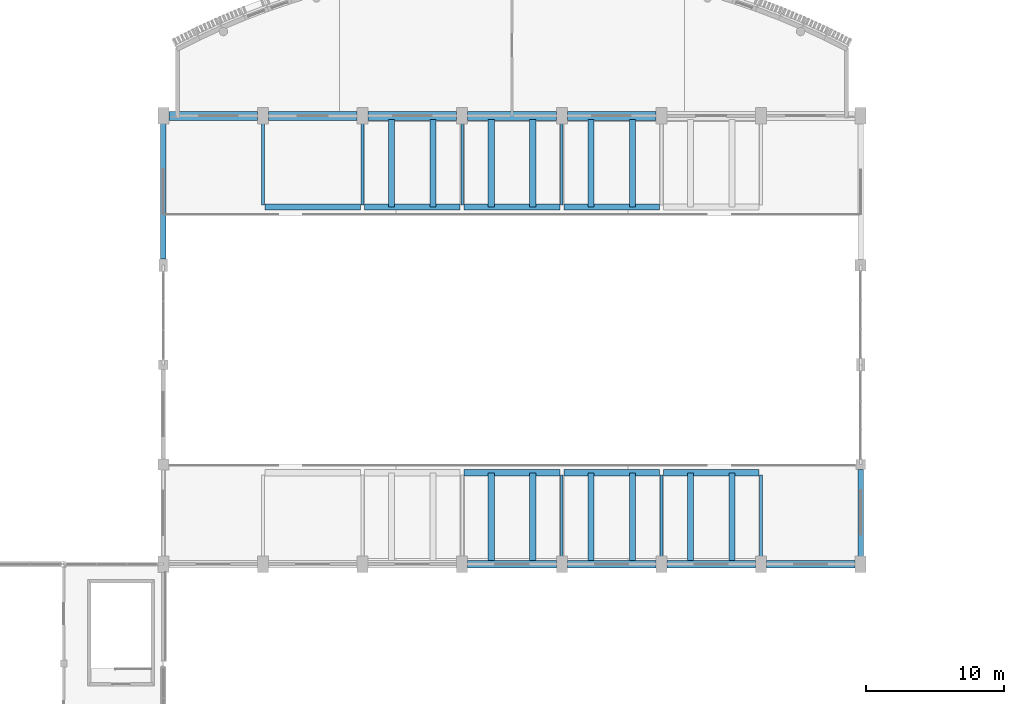
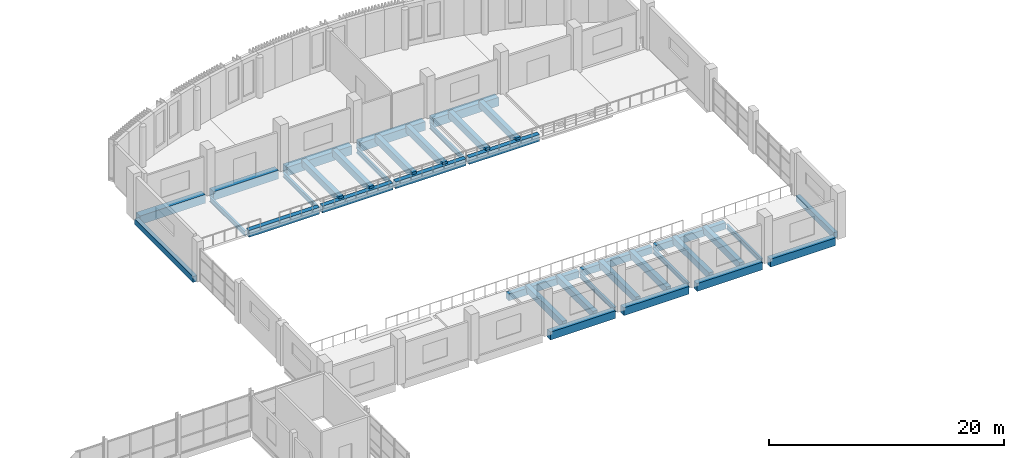
# One storey, part 27 of 71: 37 beams.
"""IFC4 building model written with IfcOpenShell, lengths in metres."""

from ifc_helpers import new_model, si_unit, direction, frame, origin, origin_2d, place, context, subcontext, project, spatial, rectangle, i_section, extrude, material, material_profile, profile_set, type_object, element, save


model = new_model("IFC4")

# Units and contexts
model_context = context("Model", 3, precision=1e-05, world=origin(), true_north=direction((0.0, 1.0)))
body_context = subcontext(model_context, "Body", "Model", "MODEL_VIEW")
ifc_project = project(units=[si_unit("LENGTHUNIT", "METRE"), si_unit("AREAUNIT", "SQUARE_METRE"), si_unit("VOLUMEUNIT", "CUBIC_METRE"), si_unit("PLANEANGLEUNIT", "RADIAN"), si_unit("MASSUNIT", "GRAM", prefix="KILO")], contexts=[model_context])

# Site, building, storey
site_placement = place(None, origin())
site = spatial("IfcSite", under=ifc_project, at=site_placement, CompositionType="ELEMENT")
building_placement = place(site_placement, origin())
building = spatial("IfcBuilding", under=site, at=building_placement, Name="Sardonyx Promenade Sports Hall", CompositionType="ELEMENT")
storey_placement = place(building_placement, frame((0.0, 0.0, 16.0)))
storey = spatial("IfcBuildingStorey", under=building, at=storey_placement, Name="L03", CompositionType="ELEMENT", Elevation=16.0)

# Beams
ifc_material_1 = material(Name="Concrete C40/50", Category="concrete")
ifc_material_profile_1 = material_profile(ifc_material_1, rectangle(XDim=0.550048828125, YDim=0.800048828125, at=origin_2d()))
ifc_profile_set_1 = profile_set([ifc_material_profile_1], Name="Concrete C40/50")
beam_type_1 = type_object("IfcBeamType", Name="Bm_Girder_RC800", PredefinedType="BEAM", material=ifc_profile_set_1)
for number, where, z_axis, x_axis, name in (
    (1, (50.800048828125, 72.0, -0.39990234375), (1.0, 0.0, 0.0), (0.0, 1.0, 0.0), "Beam BG04 L03 #794"),
    (2, (58.0, 72.0, -0.39990234375), (1.0, 0.0, 0.0), (0.0, 1.0, 0.0), "Beam BG04 L03 #795"),
):
    element("IfcBeam", number, at=place(storey_placement, frame(where, z_axis=z_axis, x_axis=x_axis)), inside=storey, type_object=beam_type_1, Name=name, PredefinedType="BEAM", context=body_context, shape_type="SweptSolid", body=[
        extrude(rectangle(XDim=0.550048828125, YDim=0.800048828125, at=origin_2d()), origin(), (0.0, 0.0, 1.0), 6.39990234375),
    ])
for number, where, z_axis, x_axis, name in (
    (3, (65.199951171875, 72.0, -0.39990234375), (1.0, 0.0, 0.0), (0.0, 1.0, 0.0), "Beam BG04 L03 #796"),
    (4, (72.39990234375, 72.0, -0.39990234375), (1.0, 0.0, 0.0), (0.0, 1.0, 0.0), "Beam BG04 L03 #797"),
):
    element("IfcBeam", number, at=place(storey_placement, frame(where, z_axis=z_axis, x_axis=x_axis)), inside=storey, type_object=beam_type_1, Name=name, PredefinedType="BEAM", context=body_context, shape_type="SweptSolid", body=[
        extrude(rectangle(XDim=0.550048828125, YDim=0.800048828125, at=origin_2d()), origin(), (0.0, 0.0, 1.0), 6.400146484375),
    ])
ifc_material_2 = material(Name="Concrete C50/60", Category="concrete")
ifc_material_profile_2 = material_profile(ifc_material_2, rectangle(XDim=0.64990234375, YDim=0.89990234375, at=origin_2d()))
ifc_profile_set_2 = profile_set([ifc_material_profile_2], Name="Concrete C50/60")
beam_type_2 = type_object("IfcBeamType", Name="Bm_Girder_RC900", PredefinedType="BEAM", material=ifc_profile_set_2)
for number, where, z_axis, x_axis, name in (
    (5, (29.195068359375, 104.39990234375, -0.449951171875), (1.0, 0.0, 0.0), (0.0, 1.0, 0.0), "North stand pier girder L03 #47"),
    (6, (36.39501953125, 104.39990234375, -0.449951171875), (1.0, 0.0, 0.0), (0.0, 1.0, 0.0), "North stand pier girder L03 #48"),
    (7, (43.594970703125, 104.39990234375, -0.449951171875), (1.0, 0.0, 0.0), (0.0, 1.0, 0.0), "North stand pier girder L03 #49"),
):
    element("IfcBeam", number, at=place(storey_placement, frame(where, z_axis=z_axis, x_axis=x_axis)), inside=storey, type_object=beam_type_2, Name=name, PredefinedType="BEAM", context=body_context, shape_type="SweptSolid", body=[
        extrude(rectangle(XDim=0.64990234375, YDim=0.89990234375, at=origin_2d()), origin(), (0.0, 0.0, 1.0), 6.409912109375),
    ])
beam_1_placement = place(storey_placement, frame((50.794921875, 104.39990234375, -0.449951171875), z_axis=(1.0, 0.0, 0.0), x_axis=(0.0, 1.0, 0.0)))
element("IfcBeam", 8, at=beam_1_placement, inside=storey, type_object=beam_type_2, Name="North stand pier girder L03 #50", PredefinedType="BEAM", context=body_context, shape_type="SweptSolid", body=[
    extrude(rectangle(XDim=0.64990234375, YDim=0.89990234375, at=origin_2d()), origin(), (0.0, 0.0, 1.0), 6.41015625),
])
beam_2_placement = place(storey_placement, frame((57.9951171875, 104.39990234375, -0.449951171875), z_axis=(1.0, 0.0, 0.0), x_axis=(0.0, 1.0, 0.0)))
element("IfcBeam", 9, at=beam_2_placement, inside=storey, type_object=beam_type_2, Name="North stand pier girder L03 #51", PredefinedType="BEAM", context=body_context, shape_type="SweptSolid", body=[
    extrude(rectangle(XDim=0.64990234375, YDim=0.89990234375, at=origin_2d()), origin(), (0.0, 0.0, 1.0), 6.409912109375),
])
ifc_material_3 = material(Name="Steel S355JR", Category="steel")
ifc_material_profile_3 = material_profile(ifc_material_3, i_section(OverallWidth=0.199951171875, OverallDepth=0.5, WebThickness=0.01025390625, FlangeThickness=0.01611328125, at=origin_2d()))
ifc_profile_set_3 = profile_set([ifc_material_profile_3], Name="Steel S355JR")
beam_type_3 = type_object("IfcBeamType", Name="Bm_Primary_IPE500", PredefinedType="BEAM", material=ifc_profile_set_3)
for number, where, z_axis, x_axis, name in (
    (10, (36.0, 97.949951171875, -0.469970703125), (0.0, 1.0, 0.0), (-1.0, 0.0, 0.0), "Beam SB06 L03 #832"),
    (11, (43.199951171875, 97.949951171875, -0.469970703125), (0.0, 1.0, 0.0), (-1.0, 0.0, 0.0), "Beam SB06 L03 #838"),
    (12, (50.39990234375, 97.949951171875, -0.469970703125), (0.0, 1.0, 0.0), (-1.0, 0.0, 0.0), "Beam SB06 L03 #840"),
    (13, (57.60009765625, 72.449951171875, -0.469970703125), (0.0, 1.0, 0.0), (-1.0, 0.0, 0.0), "Beam SB06 L03 #845"),
    (14, (57.60009765625, 97.949951171875, -0.469970703125), (0.0, 1.0, 0.0), (-1.0, 0.0, 0.0), "Beam SB06 L03 #846"),
    (15, (64.800048828125, 72.449951171875, -0.469970703125), (0.0, 1.0, 0.0), (-1.0, 0.0, 0.0), "Beam SB06 L03 #847"),
    (16, (72.0, 72.449951171875, -0.469970703125), (0.0, 1.0, 0.0), (-1.0, 0.0, 0.0), "Beam SB06 L03 #853"),
):
    element("IfcBeam", number, at=place(storey_placement, frame(where, z_axis=z_axis, x_axis=x_axis)), inside=storey, type_object=beam_type_3, Name=name, PredefinedType="BEAM", context=body_context, shape_type="SweptSolid", body=[
        extrude(i_section(OverallWidth=0.199951171875, OverallDepth=0.5, WebThickness=0.01025390625, FlangeThickness=0.01611328125, at=origin_2d()), origin(), (0.0, 0.0, 1.0), 6.0),
    ])
ifc_material_4 = material(Name="Concrete C40/50", Category="concrete")
ifc_material_profile_4 = material_profile(ifc_material_4, rectangle(XDim=0.449951171875, YDim=0.699951171875, at=origin_2d()))
ifc_profile_set_4 = profile_set([ifc_material_profile_4], Name="Concrete C40/50")
beam_type_4 = type_object("IfcBeamType", Name="Bm_Primary_RC700", PredefinedType="BEAM", material=ifc_profile_set_4)
for number, where, z_axis, x_axis, name in (
    (17, (36.14794921875, 97.800048828125, -0.35009765625), (1.0, 0.0, 0.0), (0.0, 1.0, 0.0), "Concourse longitudinal beam #31"),
    (18, (43.347900390625, 97.800048828125, -0.35009765625), (1.0, 0.0, 0.0), (0.0, 1.0, 0.0), "Concourse longitudinal beam #33"),
):
    element("IfcBeam", number, at=place(storey_placement, frame(where, z_axis=z_axis, x_axis=x_axis)), inside=storey, type_object=beam_type_4, Name=name, PredefinedType="BEAM", context=body_context, shape_type="SweptSolid", body=[
        extrude(rectangle(XDim=0.449951171875, YDim=0.699951171875, at=origin_2d()), origin(), (0.0, 0.0, 1.0), 6.904052734375),
    ])
for number, where, z_axis, x_axis, name in (
    (19, (50.548095703125, 78.60009765625, -0.35009765625), (1.0, 0.0, 0.0), (0.0, 1.0, 0.0), "Concourse longitudinal beam #34"),
    (20, (50.548095703125, 97.800048828125, -0.35009765625), (1.0, 0.0, 0.0), (0.0, 1.0, 0.0), "Concourse longitudinal beam #35"),
):
    element("IfcBeam", number, at=place(storey_placement, frame(where, z_axis=z_axis, x_axis=x_axis)), inside=storey, type_object=beam_type_4, Name=name, PredefinedType="BEAM", context=body_context, shape_type="SweptSolid", body=[
        extrude(rectangle(XDim=0.449951171875, YDim=0.699951171875, at=origin_2d()), origin(), (0.0, 0.0, 1.0), 6.90380859375),
    ])
for number, where, z_axis, x_axis, name in (
    (21, (57.748046875, 78.60009765625, -0.35009765625), (1.0, 0.0, 0.0), (0.0, 1.0, 0.0), "Concourse longitudinal beam #36"),
    (22, (57.748046875, 97.800048828125, -0.35009765625), (1.0, 0.0, 0.0), (0.0, 1.0, 0.0), "Concourse longitudinal beam #37"),
    (23, (64.947998046875, 78.60009765625, -0.35009765625), (1.0, 0.0, 0.0), (0.0, 1.0, 0.0), "Concourse longitudinal beam #38"),
):
    element("IfcBeam", number, at=place(storey_placement, frame(where, z_axis=z_axis, x_axis=x_axis)), inside=storey, type_object=beam_type_4, Name=name, PredefinedType="BEAM", context=body_context, shape_type="SweptSolid", body=[
        extrude(rectangle(XDim=0.449951171875, YDim=0.699951171875, at=origin_2d()), origin(), (0.0, 0.0, 1.0), 6.904052734375),
    ])
ifc_material_5 = material(Name="Concrete C40/50", Category="concrete")
ifc_material_profile_5 = material_profile(ifc_material_5, rectangle(XDim=0.449951171875, YDim=0.699951171875, at=origin_2d()))
ifc_profile_set_5 = profile_set([ifc_material_profile_5], Name="Concrete C40/50")
beam_type_5 = type_object("IfcBeamType", Name="Bm_Raker_Stand", PredefinedType="BEAM", material=ifc_profile_set_5)
for number, where, z_axis, x_axis, name in (
    (24, (45.300048828125, 97.800048828125, -0.10009765625), (0.0, 0.999995030106, 0.003152739147), (-1.0, 0.0, 0.0), "Stand raker beam upper N #1-1"),
    (25, (48.300048828125, 97.800048828125, -0.10009765625), (0.0, 0.999995030106, 0.003152739147), (-1.0, 0.0, 0.0), "Stand raker beam upper N #1-2"),
):
    element("IfcBeam", number, at=place(storey_placement, frame(where, z_axis=z_axis, x_axis=x_axis)), inside=storey, type_object=beam_type_5, Name=name, PredefinedType="BEAM", context=body_context, shape_type="SweptSolid", body=[
        extrude(rectangle(XDim=0.449951171875, YDim=0.699951171875, at=origin_2d()), origin(), (0.0, 0.0, 1.0), 6.349853515625),
    ])
for number, where, z_axis, x_axis, name in (
    (26, (52.5, 78.60009765625, -0.10009765625), (0.0, -0.999995030488, 0.003152617935), (1.0, 0.0, 0.0), "Stand raker beam upper S #2-1"),
    (27, (55.5, 78.60009765625, -0.10009765625), (0.0, -0.999995030488, 0.003152617935), (1.0, 0.0, 0.0), "Stand raker beam upper S #2-2"),
):
    element("IfcBeam", number, at=place(storey_placement, frame(where, z_axis=z_axis, x_axis=x_axis)), inside=storey, type_object=beam_type_5, Name=name, PredefinedType="BEAM", context=body_context, shape_type="SweptSolid", body=[
        extrude(rectangle(XDim=0.449951171875, YDim=0.699951171875, at=origin_2d()), origin(), (0.0, 0.0, 1.0), 6.35009765625),
    ])
for number, where, z_axis, x_axis, name in (
    (28, (52.5, 97.800048828125, -0.10009765625), (0.0, 0.999995030106, 0.003152739147), (-1.0, 0.0, 0.0), "Stand raker beam upper N #2-1"),
    (29, (55.5, 97.800048828125, -0.10009765625), (0.0, 0.999995030106, 0.003152739147), (-1.0, 0.0, 0.0), "Stand raker beam upper N #2-2"),
):
    element("IfcBeam", number, at=place(storey_placement, frame(where, z_axis=z_axis, x_axis=x_axis)), inside=storey, type_object=beam_type_5, Name=name, PredefinedType="BEAM", context=body_context, shape_type="SweptSolid", body=[
        extrude(rectangle(XDim=0.449951171875, YDim=0.699951171875, at=origin_2d()), origin(), (0.0, 0.0, 1.0), 6.349853515625),
    ])
for number, where, z_axis, x_axis, name in (
    (30, (59.699951171875, 78.60009765625, -0.10009765625), (0.0, -0.999995030488, 0.003152617935), (1.0, 0.0, 0.0), "Stand raker beam upper S #3-1"),
    (31, (62.699951171875, 78.60009765625, -0.10009765625), (0.0, -0.999995030488, 0.003152617935), (1.0, 0.0, 0.0), "Stand raker beam upper S #3-2"),
):
    element("IfcBeam", number, at=place(storey_placement, frame(where, z_axis=z_axis, x_axis=x_axis)), inside=storey, type_object=beam_type_5, Name=name, PredefinedType="BEAM", context=body_context, shape_type="SweptSolid", body=[
        extrude(rectangle(XDim=0.449951171875, YDim=0.699951171875, at=origin_2d()), origin(), (0.0, 0.0, 1.0), 6.35009765625),
    ])
for number, where, z_axis, x_axis, name in (
    (32, (59.699951171875, 97.800048828125, -0.10009765625), (0.0, 0.999995030106, 0.003152739147), (-1.0, 0.0, 0.0), "Stand raker beam upper N #3-1"),
    (33, (62.699951171875, 97.800048828125, -0.10009765625), (0.0, 0.999995030106, 0.003152739147), (-1.0, 0.0, 0.0), "Stand raker beam upper N #3-2"),
):
    element("IfcBeam", number, at=place(storey_placement, frame(where, z_axis=z_axis, x_axis=x_axis)), inside=storey, type_object=beam_type_5, Name=name, PredefinedType="BEAM", context=body_context, shape_type="SweptSolid", body=[
        extrude(rectangle(XDim=0.449951171875, YDim=0.699951171875, at=origin_2d()), origin(), (0.0, 0.0, 1.0), 6.349853515625),
    ])
for number, where, z_axis, x_axis, name in (
    (34, (66.89990234375, 78.60009765625, -0.10009765625), (0.0, -0.999995030488, 0.003152617935), (1.0, 0.0, 0.0), "Stand raker beam upper S #4-1"),
    (35, (69.89990234375, 78.60009765625, -0.10009765625), (0.0, -0.999995030488, 0.003152617935), (1.0, 0.0, 0.0), "Stand raker beam upper S #4-2"),
):
    element("IfcBeam", number, at=place(storey_placement, frame(where, z_axis=z_axis, x_axis=x_axis)), inside=storey, type_object=beam_type_5, Name=name, PredefinedType="BEAM", context=body_context, shape_type="SweptSolid", body=[
        extrude(rectangle(XDim=0.449951171875, YDim=0.699951171875, at=origin_2d()), origin(), (0.0, 0.0, 1.0), 6.35009765625),
    ])
ifc_material_6 = material(Name="Concrete C40/50", Category="concrete")
ifc_material_profile_6 = material_profile(ifc_material_6, rectangle(XDim=0.39990234375, YDim=0.60009765625, at=origin_2d()))
ifc_profile_set_6 = profile_set([ifc_material_profile_6], Name="Concrete C40/50")
beam_type_6 = type_object("IfcBeamType", Name="Bm_Spandrel_RC600", PredefinedType="SPANDREL", material=ifc_profile_set_6)
beam_3_placement = place(storey_placement, frame((28.800048828125, 94.050048828125, -0.300048828125), z_axis=(0.0, 1.0, 0.0), x_axis=(-1.0, 0.0, 0.0)))
element("IfcBeam", 36, at=beam_3_placement, inside=storey, type_object=beam_type_6, Name="Beam SPB1 L03 #830", PredefinedType="SPANDREL", context=body_context, shape_type="SweptSolid", body=[
    extrude(rectangle(XDim=0.39990234375, YDim=0.60009765625, at=origin_2d()), origin(), (0.0, 0.0, 1.0), 9.89990234375),
])
beam_4_placement = place(storey_placement, frame((79.199951171875, 72.449951171875, -0.300048828125), z_axis=(0.0, 1.0, 0.0), x_axis=(-1.0, 0.0, 0.0)))
element("IfcBeam", 37, at=beam_4_placement, inside=storey, type_object=beam_type_6, Name="Beam SPB1 L03 #855", PredefinedType="SPANDREL", context=body_context, shape_type="SweptSolid", body=[
    extrude(rectangle(XDim=0.39990234375, YDim=0.60009765625, at=origin_2d()), origin(), (0.0, 0.0, 1.0), 6.400146484375),
])

save(model, "model.ifc")
